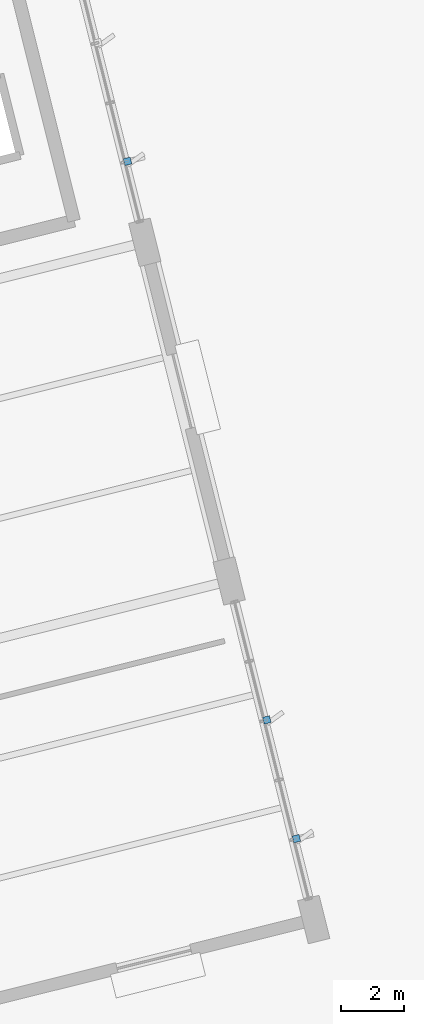
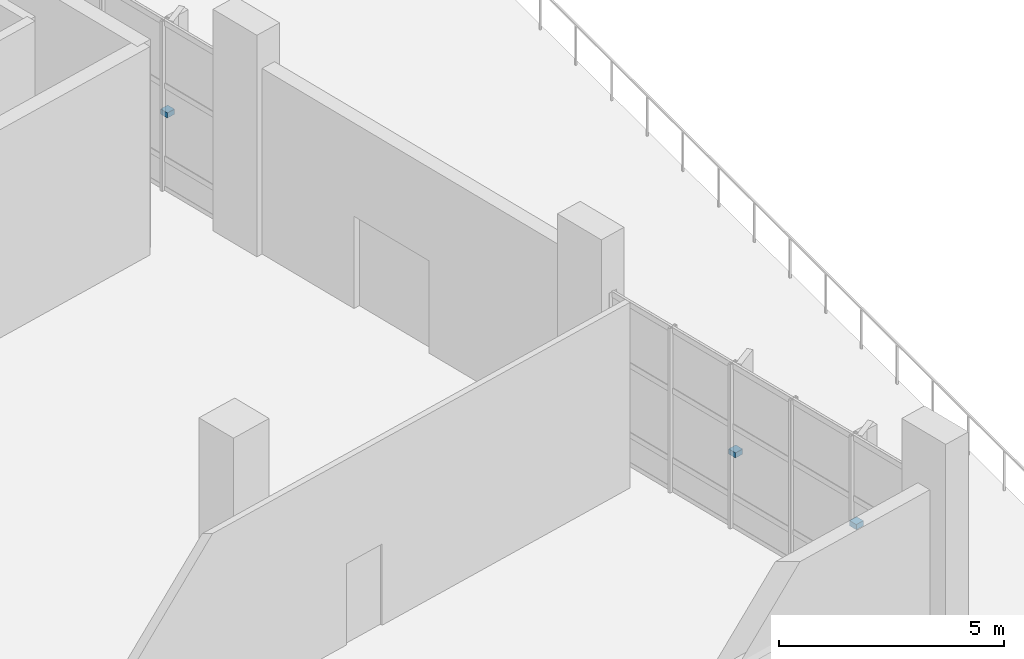
# One storey, part 139 of 163: 3 discrete accessories.
"""IFC4 building model written with IfcOpenShell, lengths in metres."""

from ifc_helpers import new_model, si_unit, direction, frame, origin, origin_2d, place, context, subcontext, project, spatial, rectangle, extrude, material, type_object, element, save


model = new_model("IFC4")

# Units and contexts
model_context = context("Model", 3, precision=1e-05, world=origin(), true_north=direction((0.0, 1.0)))
body_context = subcontext(model_context, "Body", "Model", "MODEL_VIEW")
ifc_project = project(units=[si_unit("LENGTHUNIT", "METRE"), si_unit("AREAUNIT", "SQUARE_METRE"), si_unit("VOLUMEUNIT", "CUBIC_METRE"), si_unit("PLANEANGLEUNIT", "RADIAN"), si_unit("MASSUNIT", "GRAM", prefix="KILO")], contexts=[model_context])

# Site, building, storey
site_placement = place(None, origin())
site = spatial("IfcSite", under=ifc_project, at=site_placement, CompositionType="ELEMENT")
building_placement = place(site_placement, origin())
building = spatial("IfcBuilding", under=site, at=building_placement, Name="Khorjan Park Terminus", CompositionType="ELEMENT")
storey_placement = place(building_placement, origin())
storey = spatial("IfcBuildingStorey", under=building, at=storey_placement, Name="L00", CompositionType="ELEMENT", Elevation=0.0)

# Discrete accessories
ifc_material = material(Name="Steel S355", Category="steel")
discrete_accessory_type = type_object("IfcDiscreteAccessoryType", Name="ACC-BRK-FIN", PredefinedType="BRACKET", material=ifc_material)
for number, where, z_axis, x_axis, name in (
    (1, (229.4959, 20.5192, 1.9168), (0.0, 0.0, 1.0), (-0.241920488516, 0.9702960771, 0.0), "Solar fin structural bracket BK-01 (CW-V5-E-L00-B01-1)"),
    (2, (228.563, 24.2607, 1.9168), (0.0, 0.0, 1.0), (-0.241920488516, 0.9702960771, 0.0), "Solar fin structural bracket BK-01 (CW-V5-E-L00-B01-3)"),
    (3, (224.1736, 41.8656, 1.9843), (0.0, 0.0, 1.0), (-0.241922975976, 0.970295456907, 0.0), "Solar fin structural bracket BK-01 (CW-V5-E-L00-B03-1)"),
):
    element("IfcDiscreteAccessory", number, at=place(storey_placement, frame(where, z_axis=z_axis, x_axis=x_axis)), inside=storey, type_object=discrete_accessory_type, Name=name, PredefinedType="BRACKET", context=body_context, shape_type="SweptSolid", body=[
        extrude(rectangle(XDim=0.22, YDim=0.22, at=origin_2d()), origin(), (0.0, 0.0, 1.0), 0.14),
    ])

save(model, "model.ifc")
